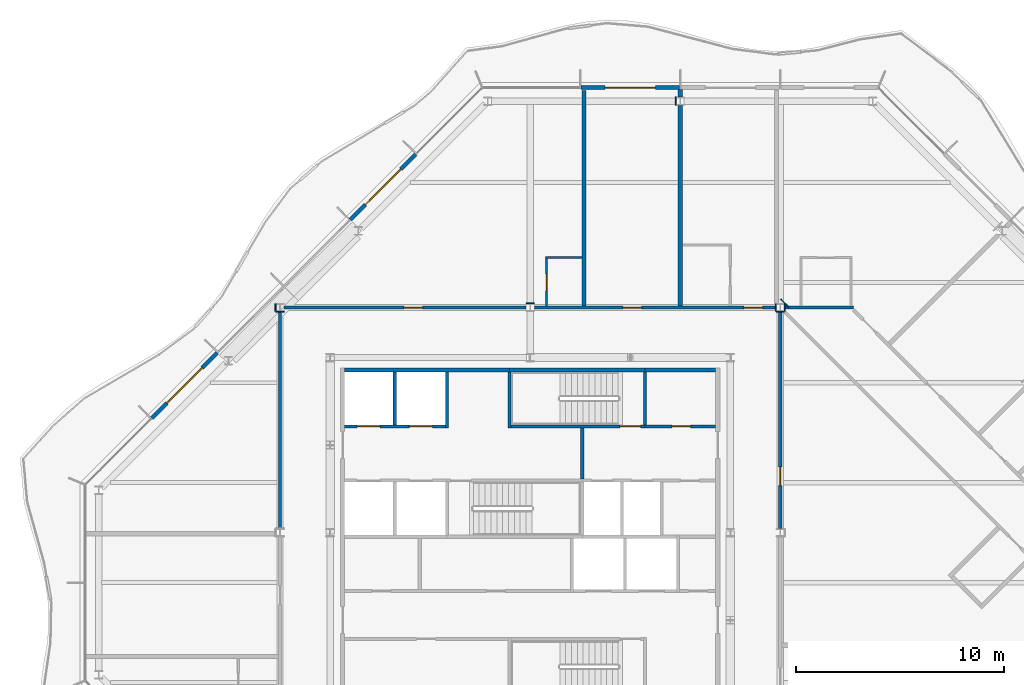
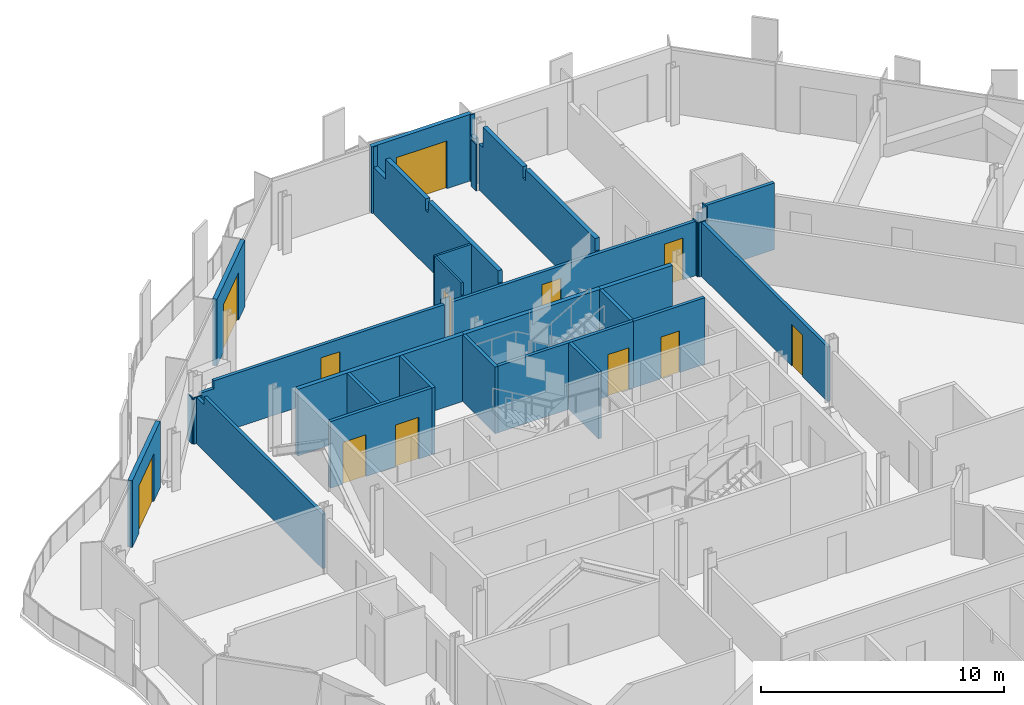
# One storey, part 11 of 17: 32 walls, 12 doors, 12 openings.
"""IFC4 building model written with IfcOpenShell, lengths in metres."""

from ifc_helpers import new_model, si_unit, direction, frame, frame_2d, origin, place, context, subcontext, project, spatial, polyline, rectangle, outline, extrude, material, layer, layer_set, type_object, element, fill, save


model = new_model("IFC4")

# Units and contexts
model_context = context("Model", 3, precision=1e-05, world=origin(), true_north=direction((0.0, 1.0)))
body_context = subcontext(model_context, "Body", "Model", "MODEL_VIEW")
ifc_project = project(units=[si_unit("LENGTHUNIT", "METRE"), si_unit("AREAUNIT", "SQUARE_METRE"), si_unit("VOLUMEUNIT", "CUBIC_METRE"), si_unit("PLANEANGLEUNIT", "RADIAN"), si_unit("MASSUNIT", "GRAM", prefix="KILO")], contexts=[model_context])

# Site, building, storey
site_placement = place(None, origin())
site = spatial("IfcSite", under=ifc_project, at=site_placement, CompositionType="ELEMENT")
building_placement = place(site_placement, origin())
building = spatial("IfcBuilding", under=site, at=building_placement, Name="Cairn Pilgrim Tower", CompositionType="ELEMENT")
storey_placement = place(building_placement, frame((0.0, 0.0, 257.39990234375)))
storey = spatial("IfcBuildingStorey", under=building, at=storey_placement, Name="L66", CompositionType="ELEMENT", Elevation=257.39990234375)

# Wall, opening, door
ifc_material_1 = material(Name="Bronze anodised aluminium insulated sandwich panel with mineral wool fill", Category="aluminium")
ifc_layer_1 = layer(ifc_material_1, 0.199951171875)
ifc_layer_set_1 = layer_set([ifc_layer_1], Name="BRONZE INFILL FRAME WALL 200")
wall_type_1 = type_object("IfcWallType", Name="BRONZE INFILL FRAME WALL 200", PredefinedType="NOTDEFINED", material=ifc_layer_set_1)
wall_1_placement = place(storey_placement, frame((14.3701171875, 23.75, 0.0), z_axis=(0.0, 0.0, 1.0), x_axis=(-1.0, 0.0, 0.0)))
wall_1 = element("IfcWall", 1, at=wall_1_placement, inside=storey, type_object=wall_type_1, Name="Bronze infill frame wall IW-N3", PredefinedType="NOTDEFINED", context=body_context, shape_type="SweptSolid", body=[
    extrude(rectangle(XDim=4.740234375, YDim=0.199951171875, at=frame_2d((2.3701171875, 0.0))), origin(), (0.0, 0.0, 1.0), 3.35009765625),
])
opening_1_placement = place(wall_1_placement, frame((1.169921875, 0.0, 0.0)))
opening_1 = element("IfcOpeningElement", 2, at=opening_1_placement, cuts=wall_1, Name="Opening 6610B", PredefinedType="OPENING", context=body_context, shape_type="SweptSolid", body=[
    extrude(rectangle(XDim=2.39990234375, YDim=2.39990234375, at=frame_2d((1.199951171875, 1.199951171875))), frame((0.0, 0.10986328125, 0.0), z_axis=(0.0, -1.0, 0.0), x_axis=(1.0, 0.0, 0.0)), (0.0, 0.0, 1.0), 0.219970703125),
])
ifc_material_2 = material(Name="Bronze anodised aluminium frame with tinted low-E glass", Category="aluminium")
door_type_1 = type_object("IfcDoorType", Name="BALCONY SLIDING DOOR 2400x2400", OperationType="DOUBLE_DOOR_SLIDING", PredefinedType="DOOR", material=ifc_material_2)
door_1_placement = place(opening_1_placement, origin())
door_1 = element("IfcDoor", 3, at=door_1_placement, inside=storey, type_object=door_type_1, Name="Balcony sliding door 6610B", OperationType="SINGLE_SWING_LEFT", OverallHeight=2.39990234375, OverallWidth=2.39990234375, PredefinedType="DOOR", context=body_context, shape_type="SweptSolid", body=[
    extrude(rectangle(XDim=2.39990234375, YDim=2.39990234375, at=frame_2d((1.199951171875, 1.199951171875))), frame((0.0, 0.02490234375, 0.0), z_axis=(0.0, -1.0, 0.0), x_axis=(1.0, 0.0, 0.0)), (0.0, 0.0, 1.0), 0.050048828125),
])
fill(opening_1, door_1)

wall_2_placement = place(storey_placement, frame((1.706787109375, 20.55322265625, 0.0), z_axis=(0.0, 0.0, 1.0), x_axis=(-0.707106781187, -0.707106781187, 0.0)))
wall_2 = element("IfcWall", 4, at=wall_2_placement, inside=storey, type_object=wall_type_1, Name="Bronze infill frame wall IW-NW2", PredefinedType="NOTDEFINED", context=body_context, shape_type="SweptSolid", body=[
    extrude(rectangle(XDim=4.43115234375, YDim=0.199951171875, at=frame_2d((2.215576171875, 0.0))), origin(), (0.0, 0.0, 1.0), 3.35009765625),
])
opening_2_placement = place(wall_2_placement, frame((1.015380859375, 0.0, 0.0)))
opening_2 = element("IfcOpeningElement", 5, at=opening_2_placement, cuts=wall_2, Name="Opening 6611B", PredefinedType="OPENING", context=body_context, shape_type="SweptSolid", body=[
    extrude(rectangle(XDim=2.39990234375, YDim=2.39990234375, at=frame_2d((1.199951171875, 1.199951171875))), frame((0.0, 0.10986328125, 0.0), z_axis=(0.0, -1.0, 0.0), x_axis=(1.0, 0.0, 0.0)), (0.0, 0.0, 1.0), 0.219970703125),
])
door_2_placement = place(opening_2_placement, origin())
door_2 = element("IfcDoor", 6, at=door_2_placement, inside=storey, type_object=door_type_1, Name="Balcony sliding door 6611B", OperationType="SINGLE_SWING_LEFT", OverallHeight=2.39990234375, OverallWidth=2.39990234375, PredefinedType="DOOR", context=body_context, shape_type="SweptSolid", body=[
    extrude(rectangle(XDim=2.39990234375, YDim=2.39990234375, at=frame_2d((1.199951171875, 1.199951171875))), frame((0.0, 0.02490234375, 0.0), z_axis=(0.0, -1.0, 0.0), x_axis=(1.0, 0.0, 0.0)), (0.0, 0.0, 1.0), 0.050048828125),
])
fill(opening_2, door_2)

wall_3_placement = place(storey_placement, frame((-7.820068359375, 11.0263671875, 0.0), z_axis=(0.0, 0.0, 1.0), x_axis=(-0.707106781187, -0.707106781187, 0.0)))
wall_3 = element("IfcWall", 7, at=wall_3_placement, inside=storey, type_object=wall_type_1, Name="Bronze infill frame wall IW-NW5", PredefinedType="NOTDEFINED", context=body_context, shape_type="SweptSolid", body=[
    extrude(rectangle(XDim=4.430908203125, YDim=0.199951171875, at=frame_2d((2.21533203125, 0.0))), origin(), (0.0, 0.0, 1.0), 3.35009765625),
])
opening_3_placement = place(wall_3_placement, frame((1.015625, 0.0, 0.0)))
opening_3 = element("IfcOpeningElement", 8, at=opening_3_placement, cuts=wall_3, Name="Opening 6611B2", PredefinedType="OPENING", context=body_context, shape_type="SweptSolid", body=[
    extrude(rectangle(XDim=2.39990234375, YDim=2.39990234375, at=frame_2d((1.199951171875, 1.199951171875))), frame((0.0, 0.10986328125, 0.0), z_axis=(0.0, -1.0, 0.0), x_axis=(1.0, 0.0, 0.0)), (0.0, 0.0, 1.0), 0.219970703125),
])
door_3_placement = place(opening_3_placement, origin())
door_3 = element("IfcDoor", 9, at=door_3_placement, inside=storey, type_object=door_type_1, Name="Balcony sliding door 6611B2", OperationType="SINGLE_SWING_LEFT", OverallHeight=2.39990234375, OverallWidth=2.39990234375, PredefinedType="DOOR", context=body_context, shape_type="SweptSolid", body=[
    extrude(rectangle(XDim=2.39990234375, YDim=2.39990234375, at=frame_2d((1.199951171875, 1.199951171875))), frame((0.0, 0.02490234375, 0.0), z_axis=(0.0, -1.0, 0.0), x_axis=(1.0, 0.0, 0.0)), (0.0, 0.0, 1.0), 0.050048828125),
])
fill(opening_3, door_3)

# Walls
ifc_material_3 = material(Name="Concrete C32/40", Category="concrete")
ifc_layer_2 = layer(ifc_material_3, 0.199951171875)
ifc_layer_set_2 = layer_set([ifc_layer_2], Name="CORE OUTER WALL 200 EI 120")
wall_type_2 = type_object("IfcWallType", Name="CORE OUTER WALL 200 EI 120", PredefinedType="SOLIDWALL", material=ifc_layer_set_2)
wall_4_placement = place(storey_placement, frame((-1.699951171875, 10.199951171875, 0.0), z_axis=(0.0, 0.0, 1.0), x_axis=(1.0, 0.0, 0.0)))
element("IfcWall", 10, at=wall_4_placement, inside=storey, type_object=wall_type_2, Name="CW:L66:H12-1", PredefinedType="SOLIDWALL", context=body_context, shape_type="SweptSolid", body=[
    extrude(rectangle(XDim=7.89990234375, YDim=0.199951171875, at=frame_2d((3.949951171875, 0.0))), origin(), (0.0, 0.0, 1.0), 3.35009765625),
])
wall_5_placement = place(storey_placement, frame((12.699951171875, 10.199951171875, 0.0), z_axis=(0.0, 0.0, 1.0), x_axis=(1.0, 0.0, 0.0)))
element("IfcWall", 11, at=wall_5_placement, inside=storey, type_object=wall_type_2, Name="CW:L66:H12-3", PredefinedType="SOLIDWALL", context=body_context, shape_type="SweptSolid", body=[
    extrude(rectangle(XDim=3.400146484375, YDim=0.199951171875, at=frame_2d((1.7001953125, 0.0))), origin(), (0.0, 0.0, 1.0), 3.35009765625),
])

# Wall, openings, doors
ifc_layer_3 = layer(ifc_material_3, 0.14990234375)
ifc_layer_set_3 = layer_set([ifc_layer_3], Name="CORE SHAFT WALL 150 EI 120")
wall_type_3 = type_object("IfcWallType", Name="CORE SHAFT WALL 150 EI 120", PredefinedType="SOLIDWALL", material=ifc_layer_set_3)
wall_6_placement = place(storey_placement, frame((-1.699951171875, 7.5, 0.0), z_axis=(0.0, 0.0, 1.0), x_axis=(1.0, 0.0, 0.0)))
wall_6 = element("IfcWall", 12, at=wall_6_placement, inside=storey, type_object=wall_type_3, Name="CW:L66:H10", PredefinedType="SOLIDWALL", context=body_context, shape_type="SweptSolid", body=[
    extrude(rectangle(XDim=4.824951171875, YDim=0.14990234375, at=frame_2d((2.41259765625, 0.0))), origin(), (0.0, 0.0, 1.0), 3.35009765625),
])
opening_4_placement = place(wall_6_placement, frame((0.60009765625, 0.0, 0.0)))
opening_4 = element("IfcOpeningElement", 13, at=opening_4_placement, cuts=wall_6, Name="Opening LD-HR3", PredefinedType="OPENING", context=body_context, shape_type="SweptSolid", body=[
    extrude(rectangle(XDim=1.10009765625, YDim=2.10009765625, at=frame_2d((0.550048828125, 1.050048828125))), frame((0.0, 0.0849609375, 0.0), z_axis=(0.0, -1.0, 0.0), x_axis=(1.0, 0.0, 0.0)), (0.0, 0.0, 1.0), 0.169921875),
])
opening_5_placement = place(wall_6_placement, frame((3.10009765625, 0.0, 0.0)))
opening_5 = element("IfcOpeningElement", 14, at=opening_5_placement, cuts=wall_6, Name="Opening LD-HR4", PredefinedType="OPENING", context=body_context, shape_type="SweptSolid", body=[
    extrude(rectangle(XDim=1.10009765625, YDim=2.10009765625, at=frame_2d((0.550048828125, 1.050048828125))), frame((0.0, 0.0849609375, 0.0), z_axis=(0.0, -1.0, 0.0), x_axis=(1.0, 0.0, 0.0)), (0.0, 0.0, 1.0), 0.169921875),
])
ifc_material_4 = material(Name="Stainless steel", Category="steel")
door_type_2 = type_object("IfcDoorType", Name="LIFT LANDING DOOR 1100x2100", OperationType="DOUBLE_DOOR_SLIDING", PredefinedType="DOOR", material=ifc_material_4)
door_4_placement = place(opening_4_placement, origin())
door_4 = element("IfcDoor", 15, at=door_4_placement, inside=storey, type_object=door_type_2, Name="LANDING DOOR HR3", OperationType="DOUBLE_DOOR_SLIDING", OverallHeight=2.10009765625, OverallWidth=1.10009765625, PredefinedType="DOOR", context=body_context, shape_type="SweptSolid", body=[
    extrude(rectangle(XDim=1.10009765625, YDim=2.10009765625, at=frame_2d((0.550048828125, 1.050048828125))), frame((0.0, 0.02490234375, 0.0), z_axis=(0.0, -1.0, 0.0), x_axis=(1.0, 0.0, 0.0)), (0.0, 0.0, 1.0), 0.050048828125),
])
fill(opening_4, door_4)
door_5_placement = place(opening_5_placement, origin())
door_5 = element("IfcDoor", 16, at=door_5_placement, inside=storey, type_object=door_type_2, Name="LANDING DOOR HR4", OperationType="DOUBLE_DOOR_SLIDING", OverallHeight=2.10009765625, OverallWidth=1.10009765625, PredefinedType="DOOR", context=body_context, shape_type="SweptSolid", body=[
    extrude(rectangle(XDim=1.10009765625, YDim=2.10009765625, at=frame_2d((0.550048828125, 1.050048828125))), frame((0.0, 0.02490234375, 0.0), z_axis=(0.0, -1.0, 0.0), x_axis=(1.0, 0.0, 0.0)), (0.0, 0.0, 1.0), 0.050048828125),
])
fill(opening_5, door_5)

# Wall, opening, door
wall_7_placement = place(storey_placement, frame((12.699951171875, 7.5, 0.0), z_axis=(0.0, 0.0, 1.0), x_axis=(1.0, 0.0, 0.0)))
wall_7 = element("IfcWall", 17, at=wall_7_placement, inside=storey, type_object=wall_type_3, Name="CW:L66:H11-2", PredefinedType="SOLIDWALL", context=body_context, shape_type="SweptSolid", body=[
    extrude(rectangle(XDim=3.400146484375, YDim=0.14990234375, at=frame_2d((1.7001953125, 0.0))), origin(), (0.0, 0.0, 1.0), 3.35009765625),
])
opening_6_placement = place(wall_7_placement, frame((1.300048828125, 0.0, 0.0)))
opening_6 = element("IfcOpeningElement", 18, at=opening_6_placement, cuts=wall_7, Name="Opening RD-R4E", PredefinedType="OPENING", context=body_context, shape_type="SweptSolid", body=[
    extrude(rectangle(XDim=0.89990234375, YDim=2.10009765625, at=frame_2d((0.449951171875, 1.050048828125))), frame((0.0, 0.0849609375, 0.0), z_axis=(0.0, -1.0, 0.0), x_axis=(1.0, 0.0, 0.0)), (0.0, 0.0, 1.0), 0.169921875),
])
ifc_material_5 = material(Name="Painted steel", Category="steel")
door_type_3 = type_object("IfcDoorType", Name="SERVICE ROOM DOOR 900x2100", OperationType="SINGLE_SWING_LEFT", PredefinedType="DOOR", material=ifc_material_5)
door_6_placement = place(opening_6_placement, origin())
door_6 = element("IfcDoor", 19, at=door_6_placement, inside=storey, type_object=door_type_3, Name="RD-R4E", OperationType="SINGLE_SWING_RIGHT", OverallHeight=2.10009765625, OverallWidth=0.89990234375, PredefinedType="DOOR", context=body_context, shape_type="SweptSolid", body=[
    extrude(rectangle(XDim=0.89990234375, YDim=2.10009765625, at=frame_2d((0.449951171875, 1.050048828125))), frame((0.0, 0.02490234375, 0.0), z_axis=(0.0, -1.0, 0.0), x_axis=(1.0, 0.0, 0.0)), (0.0, 0.0, 1.0), 0.050048828125),
])
fill(opening_6, door_6)

# Walls
wall_8_placement = place(storey_placement, frame((0.699951171875, 7.574951171875, 0.0), z_axis=(0.0, 0.0, 1.0), x_axis=(0.0, 1.0, 0.0)))
element("IfcWall", 20, at=wall_8_placement, inside=storey, type_object=wall_type_3, Name="CW:L66:V15", PredefinedType="SOLIDWALL", context=body_context, shape_type="SweptSolid", body=[
    extrude(rectangle(XDim=2.525146484375, YDim=0.14990234375, at=frame_2d((1.2626953125, 0.0))), origin(), (0.0, 0.0, 1.0), 3.35009765625),
])
wall_9_placement = place(storey_placement, frame((3.199951171875, 7.425048828125, 0.0), z_axis=(0.0, 0.0, 1.0), x_axis=(0.0, 1.0, 0.0)))
element("IfcWall", 21, at=wall_9_placement, inside=storey, type_object=wall_type_3, Name="CW:L66:V18", PredefinedType="SOLIDWALL", context=body_context, shape_type="SweptSolid", body=[
    extrude(rectangle(XDim=2.675048828125, YDim=0.14990234375, at=frame_2d((1.33740234375, 0.0))), origin(), (0.0, 0.0, 1.0), 3.35009765625),
])
wall_10_placement = place(storey_placement, frame((9.699951171875, 4.97509765625, 0.0), z_axis=(0.0, 0.0, 1.0), x_axis=(0.0, 1.0, 0.0)))
element("IfcWall", 22, at=wall_10_placement, inside=storey, type_object=wall_type_3, Name="CW:L66:V23", PredefinedType="SOLIDWALL", context=body_context, shape_type="SweptSolid", body=[
    extrude(rectangle(XDim=2.449951171875, YDim=0.14990234375, at=frame_2d((1.22509765625, 0.0))), origin(), (0.0, 0.0, 1.0), 3.35009765625),
])

# Wall, opening, door
ifc_material_6 = material(Name="Gypsum partition")
ifc_layer_4 = layer(ifc_material_6, 0.10009765625)
ifc_layer_set_4 = layer_set([ifc_layer_4], Name="PARTITION 100 DRYWALL")
wall_type_4 = type_object("IfcWallType", Name="PARTITION 100 DRYWALL", PredefinedType="PARTITIONING", material=ifc_layer_set_4)
wall_11_placement = place(storey_placement, frame((7.986083984375, 13.27490234375, 0.0), z_axis=(0.0, 0.0, 1.0), x_axis=(0.0, 1.0, 0.0)))
wall_11 = element("IfcWall", 23, at=wall_11_placement, inside=storey, type_object=wall_type_4, Name="PARTITION W068", PredefinedType="PARTITIONING", context=body_context, shape_type="SweptSolid", body=[
    extrude(outline(polyline([(0.0, 0.0), (2.275146484375, 0.0), (2.27490234375, 3.35009765625), (0.074951171875, 3.35009765625), (0.072998046875, 2.72998046875), (0.0, 2.72998046875), (0.0, 0.0)])), frame((0.0, 0.050048828125, 0.0), z_axis=(0.0, -1.0, 0.0), x_axis=(1.0, 0.0, 0.0)), (0.0, 0.0, 1.0), 0.10009765625),
])
opening_7_placement = place(wall_11_placement, frame((0.72509765625, 0.0, 0.0)))
opening_7 = element("IfcOpeningElement", 24, at=opening_7_placement, cuts=wall_11, Name="Opening 6611A", PredefinedType="OPENING", context=body_context, shape_type="SweptSolid", body=[
    extrude(rectangle(XDim=0.800048828125, YDim=2.10009765625, at=frame_2d((0.39990234375, 1.050048828125))), frame((0.0, 0.06005859375, 0.0), z_axis=(0.0, -1.0, 0.0), x_axis=(1.0, 0.0, 0.0)), (0.0, 0.0, 1.0), 0.1201171875),
])
ifc_material_7 = material(Name="Timber door leaf", Category="wood")
door_type_4 = type_object("IfcDoorType", Name="WC DOOR 800x2100", OperationType="NOTDEFINED", PredefinedType="DOOR", material=ifc_material_7)
door_7_placement = place(opening_7_placement, origin())
door_7 = element("IfcDoor", 25, at=door_7_placement, inside=storey, type_object=door_type_4, Name="DOOR 6611A", OperationType="SINGLE_SWING_LEFT", OverallHeight=2.10009765625, OverallWidth=0.800048828125, PredefinedType="DOOR", context=body_context, shape_type="SweptSolid", body=[
    extrude(rectangle(XDim=0.800048828125, YDim=2.10009765625, at=frame_2d((0.39990234375, 1.050048828125))), frame((0.0, 0.02490234375, 0.0), z_axis=(0.0, -1.0, 0.0), x_axis=(1.0, 0.0, 0.0)), (0.0, 0.0, 1.0), 0.050048828125),
])
fill(opening_7, door_7)

# Walls
wall_12_placement = place(storey_placement, frame((7.93603515625, 15.60009765625, 0.0), z_axis=(0.0, 0.0, 1.0), x_axis=(1.0, 0.0, 0.0)))
element("IfcWall", 26, at=wall_12_placement, inside=storey, type_object=wall_type_4, Name="PARTITION W075", PredefinedType="PARTITIONING", context=body_context, shape_type="SweptSolid", body=[
    extrude(rectangle(XDim=1.75, YDim=0.10009765625, at=frame_2d((0.875, 0.0))), origin(), (0.0, 0.0, 1.0), 3.35009765625),
])
ifc_layer_5 = layer(ifc_material_6, 0.14990234375)
ifc_layer_set_5 = layer_set([ifc_layer_5], Name="PARTITION 150 DRYWALL EI 60")
wall_type_5 = type_object("IfcWallType", Name="PARTITION 150 DRYWALL EI 60", PredefinedType="PARTITIONING", material=ifc_layer_set_5)
wall_13_placement = place(storey_placement, frame((-4.800048828125, 2.58740234375, 0.0), z_axis=(0.0, 0.0, 1.0), x_axis=(0.0, 1.0, 0.0)))
element("IfcWall", 27, at=wall_13_placement, inside=storey, type_object=wall_type_5, Name="PARTITION W056", PredefinedType="PARTITIONING", context=body_context, shape_type="SweptSolid", body=[
    extrude(outline(polyline([(0.0, 0.0), (10.425048828125, 0.0), (10.425048828125, 2.330078125), (9.757568359375, 2.330078125), (9.755615234375, 2.72998046875), (0.0, 2.72998046875), (0.0, 0.0)])), frame((0.0, 0.074951171875, 0.0), z_axis=(0.0, -1.0, 0.0), x_axis=(1.0, 0.0, 0.0)), (0.0, 0.0, 1.0), 0.14990234375),
])

# Wall, opening, door
wall_14_placement = place(storey_placement, frame((19.199951171875, 2.58740234375, 0.0), z_axis=(0.0, 0.0, 1.0), x_axis=(0.0, 1.0, 0.0)))
wall_14 = element("IfcWall", 28, at=wall_14_placement, inside=storey, type_object=wall_type_5, Name="PARTITION W057", PredefinedType="PARTITIONING", context=body_context, shape_type="SweptSolid", body=[
    extrude(rectangle(XDim=10.425048828125, YDim=0.14990234375, at=frame_2d((5.21240234375, 0.0))), origin(), (0.0, 0.0, 1.0), 2.72998046875),
])
opening_8_placement = place(wall_14_placement, frame((2.0625, 0.0, 0.0)))
opening_8 = element("IfcOpeningElement", 29, at=opening_8_placement, cuts=wall_14, Name="Opening 6619", PredefinedType="OPENING", context=body_context, shape_type="SweptSolid", body=[
    extrude(rectangle(XDim=0.89990234375, YDim=2.10009765625, at=frame_2d((0.449951171875, 1.050048828125))), frame((0.0, 0.0849609375, 0.0), z_axis=(0.0, -1.0, 0.0), x_axis=(1.0, 0.0, 0.0)), (0.0, 0.0, 1.0), 0.169921875),
])
door_type_5 = type_object("IfcDoorType", Name="SERVICE DOOR 900x2100 FD30S", OperationType="NOTDEFINED", PredefinedType="DOOR", material=ifc_material_7)
door_8_placement = place(opening_8_placement, frame((0.89990234375, 0.0, 0.0), z_axis=(0.0, 0.0, 1.0), x_axis=(-1.0, 0.0, 0.0)))
door_8 = element("IfcDoor", 30, at=door_8_placement, inside=storey, type_object=door_type_5, Name="DOOR 6619", OperationType="SINGLE_SWING_LEFT", OverallHeight=2.10009765625, OverallWidth=0.89990234375, PredefinedType="DOOR", context=body_context, shape_type="SweptSolid", body=[
    extrude(rectangle(XDim=0.89990234375, YDim=2.10009765625, at=frame_2d((0.449951171875, 1.050048828125))), frame((0.0, 0.02490234375, 0.0), z_axis=(0.0, -1.0, 0.0), x_axis=(1.0, 0.0, 0.0)), (0.0, 0.0, 1.0), 0.050048828125),
])
fill(opening_8, door_8)

wall_15_placement = place(storey_placement, frame((-4.60302734375, 13.199951171875, 0.0), z_axis=(0.0, 0.0, 1.0), x_axis=(1.0, 0.0, 0.0)))
wall_15 = element("IfcWall", 31, at=wall_15_placement, inside=storey, type_object=wall_type_5, Name="PARTITION W065", PredefinedType="PARTITIONING", context=body_context, shape_type="SweptSolid", body=[
    extrude(outline(polyline([(0.0, 0.0), (11.60595703125, 0.0), (11.60595703125, 2.72998046875), (0.657958984375, 2.72998046875), (0.656005859375, 2.330078125), (0.0, 2.330078125), (0.0, 0.0)])), frame((0.0, 0.074951171875, 0.0), z_axis=(0.0, -1.0, 0.0), x_axis=(1.0, 0.0, 0.0)), (0.0, 0.0, 1.0), 0.14990234375),
])
opening_9_placement = place(wall_15_placement, frame((5.74609375, 0.0, 0.0)))
opening_9 = element("IfcOpeningElement", 32, at=opening_9_placement, cuts=wall_15, Name="Opening 6611", PredefinedType="OPENING", context=body_context, shape_type="SweptSolid", body=[
    extrude(rectangle(XDim=0.89990234375, YDim=2.10009765625, at=frame_2d((0.449951171875, 1.050048828125))), frame((0.0, 0.0849609375, 0.0), z_axis=(0.0, -1.0, 0.0), x_axis=(1.0, 0.0, 0.0)), (0.0, 0.0, 1.0), 0.169921875),
])
door_type_6 = type_object("IfcDoorType", Name="ROOM DOOR 900x2100 FD30S", OperationType="NOTDEFINED", PredefinedType="DOOR", material=ifc_material_7)
door_9_placement = place(opening_9_placement, origin())
door_9 = element("IfcDoor", 33, at=door_9_placement, inside=storey, type_object=door_type_6, Name="DOOR 6611", OperationType="SINGLE_SWING_LEFT", OverallHeight=2.10009765625, OverallWidth=0.89990234375, PredefinedType="DOOR", context=body_context, shape_type="SweptSolid", body=[
    extrude(rectangle(XDim=0.89990234375, YDim=2.10009765625, at=frame_2d((0.449951171875, 1.050048828125))), frame((0.0, 0.02490234375, 0.0), z_axis=(0.0, -1.0, 0.0), x_axis=(1.0, 0.0, 0.0)), (0.0, 0.0, 1.0), 0.050048828125),
])
fill(opening_9, door_9)

# Wall, openings, doors
wall_16_placement = place(storey_placement, frame((7.39697265625, 13.199951171875, 0.0), z_axis=(0.0, 0.0, 1.0), x_axis=(1.0, 0.0, 0.0)))
wall_16 = element("IfcWall", 34, at=wall_16_placement, inside=storey, type_object=wall_type_5, Name="PARTITION W066", PredefinedType="PARTITIONING", context=body_context, shape_type="SweptSolid", body=[
    extrude(rectangle(XDim=11.60595703125, YDim=0.14990234375, at=frame_2d((5.802978515625, 0.0))), origin(), (0.0, 0.0, 1.0), 2.72998046875),
])
opening_10_placement = place(wall_16_placement, frame((10.06005859375, 0.0, 0.0)))
opening_10 = element("IfcOpeningElement", 35, at=opening_10_placement, cuts=wall_16, Name="Opening 6609", PredefinedType="OPENING", context=body_context, shape_type="SweptSolid", body=[
    extrude(rectangle(XDim=0.89990234375, YDim=2.10009765625, at=frame_2d((0.449951171875, 1.050048828125))), frame((0.0, 0.0849609375, 0.0), z_axis=(0.0, -1.0, 0.0), x_axis=(1.0, 0.0, 0.0)), (0.0, 0.0, 1.0), 0.169921875),
])
opening_11_placement = place(wall_16_placement, frame((4.24609375, 0.0, 0.0)))
opening_11 = element("IfcOpeningElement", 36, at=opening_11_placement, cuts=wall_16, Name="Opening 6610", PredefinedType="OPENING", context=body_context, shape_type="SweptSolid", body=[
    extrude(rectangle(XDim=0.89990234375, YDim=2.10009765625, at=frame_2d((0.449951171875, 1.050048828125))), frame((0.0, 0.0849609375, 0.0), z_axis=(0.0, -1.0, 0.0), x_axis=(1.0, 0.0, 0.0)), (0.0, 0.0, 1.0), 0.169921875),
])
door_10_placement = place(opening_10_placement, origin())
door_10 = element("IfcDoor", 37, at=door_10_placement, inside=storey, type_object=door_type_6, Name="DOOR 6609", OperationType="SINGLE_SWING_RIGHT", OverallHeight=2.10009765625, OverallWidth=0.89990234375, PredefinedType="DOOR", context=body_context, shape_type="SweptSolid", body=[
    extrude(rectangle(XDim=0.89990234375, YDim=2.10009765625, at=frame_2d((0.449951171875, 1.050048828125))), frame((0.0, 0.02490234375, 0.0), z_axis=(0.0, -1.0, 0.0), x_axis=(1.0, 0.0, 0.0)), (0.0, 0.0, 1.0), 0.050048828125),
])
fill(opening_10, door_10)
door_11_placement = place(opening_11_placement, origin())
door_11 = element("IfcDoor", 38, at=door_11_placement, inside=storey, type_object=door_type_5, Name="DOOR 6610", OperationType="SINGLE_SWING_LEFT", OverallHeight=2.10009765625, OverallWidth=0.89990234375, PredefinedType="DOOR", context=body_context, shape_type="SweptSolid", body=[
    extrude(rectangle(XDim=0.89990234375, YDim=2.10009765625, at=frame_2d((0.449951171875, 1.050048828125))), frame((0.0, 0.02490234375, 0.0), z_axis=(0.0, -1.0, 0.0), x_axis=(1.0, 0.0, 0.0)), (0.0, 0.0, 1.0), 0.050048828125),
])
fill(opening_11, door_11)

# Walls
wall_17_placement = place(storey_placement, frame((19.39697265625, 13.199951171875, 0.0), z_axis=(0.0, 0.0, 1.0), x_axis=(1.0, 0.0, 0.0)))
element("IfcWall", 39, at=wall_17_placement, inside=storey, type_object=wall_type_5, Name="PARTITION W067", PredefinedType="PARTITIONING", context=body_context, shape_type="SweptSolid", body=[
    extrude(rectangle(XDim=3.30322265625, YDim=0.14990234375, at=frame_2d((1.651611328125, 0.0))), origin(), (0.0, 0.0, 1.0), 3.35009765625),
])
ifc_layer_6 = layer(ifc_material_6, 0.050048828125)
ifc_layer_set_6 = layer_set([ifc_layer_6], Name="PARTITION 50 DRYWALL EI 60")
wall_type_6 = type_object("IfcWallType", Name="PARTITION 50 DRYWALL EI 60", PredefinedType="PARTITIONING", material=ifc_layer_set_6)
wall_18_placement = place(storey_placement, frame((-5.02197265625, 13.012451171875, 0.0), z_axis=(0.0, 0.0, 1.0), x_axis=(0.0, 1.0, 0.0)))
element("IfcWall", 40, at=wall_18_placement, inside=storey, type_object=wall_type_6, Name="COLUMN CASING WC10", PredefinedType="PARTITIONING", context=body_context, shape_type="SweptSolid", body=[
    extrude(rectangle(XDim=0.375, YDim=0.050048828125, at=frame_2d((0.1875, 0.0))), origin(), (0.0, 0.0, 1.0), 2.330078125),
])
wall_19_placement = place(storey_placement, frame((18.97802734375, 13.012451171875, 0.0), z_axis=(0.0, 0.0, 1.0), x_axis=(0.0, 1.0, 0.0)))
element("IfcWall", 41, at=wall_19_placement, inside=storey, type_object=wall_type_6, Name="COLUMN CASING WC15", PredefinedType="PARTITIONING", context=body_context, shape_type="SweptSolid", body=[
    extrude(rectangle(XDim=0.375, YDim=0.050048828125, at=frame_2d((0.1875, 0.0))), origin(), (0.0, 0.0, 1.0), 2.72998046875),
])
wall_20_placement = place(storey_placement, frame((19.602294921875, 13.2177734375, 0.0), z_axis=(0.0, 0.0, 1.0), x_axis=(-0.707106781187, 0.707106781187, 0.0)))
element("IfcWall", 42, at=wall_20_placement, inside=storey, type_object=wall_type_6, Name="COLUMN CASING WC17", PredefinedType="PARTITIONING", context=body_context, shape_type="SweptSolid", body=[
    extrude(rectangle(XDim=0.543701171875, YDim=0.050048828125, at=frame_2d((0.27197265625, 0.0))), origin(), (0.0, 0.0, 1.0), 2.830078125),
])
wall_21_placement = place(storey_placement, frame((-4.9970703125, 12.987548828125, 0.0), z_axis=(0.0, 0.0, 1.0), x_axis=(1.0, 0.0, 0.0)))
element("IfcWall", 43, at=wall_21_placement, inside=storey, type_object=wall_type_6, Name="COLUMN CASING WC22", PredefinedType="PARTITIONING", context=body_context, shape_type="SweptSolid", body=[
    extrude(rectangle(XDim=0.39404296875, YDim=0.050048828125, at=frame_2d((0.197021484375, 0.0))), origin(), (0.0, 0.0, 1.0), 2.330078125),
])
wall_22_placement = place(storey_placement, frame((7.0029296875, 13.41259765625, 0.0), z_axis=(0.0, 0.0, 1.0), x_axis=(1.0, 0.0, 0.0)))
element("IfcWall", 44, at=wall_22_placement, inside=storey, type_object=wall_type_6, Name="COLUMN CASING WC23", PredefinedType="PARTITIONING", context=body_context, shape_type="SweptSolid", body=[
    extrude(rectangle(XDim=0.39404296875, YDim=0.050048828125, at=frame_2d((0.197021484375, 0.0))), origin(), (0.0, 0.0, 1.0), 2.830078125),
])
wall_23_placement = place(storey_placement, frame((19.0029296875, 12.987548828125, 0.0), z_axis=(0.0, 0.0, 1.0), x_axis=(1.0, 0.0, 0.0)))
element("IfcWall", 45, at=wall_23_placement, inside=storey, type_object=wall_type_6, Name="COLUMN CASING WC24", PredefinedType="PARTITIONING", context=body_context, shape_type="SweptSolid", body=[
    extrude(rectangle(XDim=0.39404296875, YDim=0.050048828125, at=frame_2d((0.197021484375, 0.0))), origin(), (0.0, 0.0, 1.0), 2.72998046875),
])
wall_24_placement = place(storey_placement, frame((14.173095703125, 22.896484375, 0.0), z_axis=(0.0, 0.0, 1.0), x_axis=(0.0, 1.0, 0.0)))
element("IfcWall", 46, at=wall_24_placement, inside=storey, type_object=wall_type_6, Name="COLUMN CASING WC25", PredefinedType="PARTITIONING", context=body_context, shape_type="SweptSolid", body=[
    extrude(rectangle(XDim=0.406982421875, YDim=0.050048828125, at=frame_2d((0.20361328125, 0.0))), origin(), (0.0, 0.0, 1.0), 2.330078125),
])
wall_25_placement = place(storey_placement, frame((19.422119140625, 13.012451171875, 0.0), z_axis=(0.0, 0.0, 1.0), x_axis=(0.0, 1.0, 0.0)))
element("IfcWall", 47, at=wall_25_placement, inside=storey, type_object=wall_type_6, Name="COLUMN CASING WC26", PredefinedType="PARTITIONING", context=body_context, shape_type="SweptSolid", body=[
    extrude(rectangle(XDim=0.375, YDim=0.050048828125, at=frame_2d((0.1875, 0.0))), origin(), (0.0, 0.0, 1.0), 3.35009765625),
])
ifc_layer_7 = layer(ifc_material_6, 0.199951171875)
ifc_layer_set_7 = layer_set([ifc_layer_7], Name="SHAFT WALL 200 GYPSUM EI 60")
wall_type_7 = type_object("IfcWallType", Name="SHAFT WALL 200 GYPSUM EI 60", PredefinedType="PARTITIONING", material=ifc_layer_set_7)
wall_26_placement = place(storey_placement, frame((9.785888671875, 13.27490234375, 0.0), z_axis=(0.0, 0.0, 1.0), x_axis=(0.0, 1.0, 0.0)))
element("IfcWall", 48, at=wall_26_placement, inside=storey, type_object=wall_type_7, Name="PARTITION W069", PredefinedType="PARTITIONING", context=body_context, shape_type="SweptSolid", body=[
    extrude(outline(polyline([(0.0, 0.0), (10.34521484375, 0.0), (10.344970703125, 3.35009765625), (10.324951171875, 3.35009765625), (10.322998046875, 2.330078125), (9.324951171875, 2.330078125), (9.322998046875, 3.35009765625), (6.030029296875, 3.35009765625), (6.028076171875, 2.780029296875), (5.820068359375, 2.780029296875), (5.818115234375, 3.35009765625), (0.074951171875, 3.35009765625), (0.072998046875, 2.72998046875), (0.0, 2.72998046875), (0.0, 0.0)])), frame((0.0, 0.10009765625, 0.0), z_axis=(0.0, -1.0, 0.0), x_axis=(1.0, 0.0, 0.0)), (0.0, 0.0, 1.0), 0.199951171875),
])
wall_27_placement = place(storey_placement, frame((14.39990234375, 13.27490234375, 0.0), z_axis=(0.0, 0.0, 1.0), x_axis=(0.0, 1.0, 0.0)))
element("IfcWall", 49, at=wall_27_placement, inside=storey, type_object=wall_type_7, Name="PARTITION W070", PredefinedType="PARTITIONING", context=body_context, shape_type="SweptSolid", body=[
    extrude(outline(polyline([(0.0, 0.0), (9.62158203125, 0.0), (9.62158203125, 2.330078125), (9.324951171875, 2.330078125), (9.322998046875, 3.35009765625), (6.030029296875, 3.35009765625), (6.028076171875, 2.780029296875), (5.820068359375, 2.780029296875), (5.818115234375, 3.35009765625), (0.074951171875, 3.35009765625), (0.072998046875, 2.72998046875), (0.0, 2.72998046875), (0.0, 0.0)])), frame((0.0, 0.10009765625, 0.0), z_axis=(0.0, -1.0, 0.0), x_axis=(1.0, 0.0, 0.0)), (0.0, 0.0, 1.0), 0.199951171875),
])
wall_28_placement = place(storey_placement, frame((14.39990234375, 23.303466796875, 0.0), z_axis=(0.0, 0.0, 1.0), x_axis=(0.0, 1.0, 0.0)))
element("IfcWall", 50, at=wall_28_placement, inside=storey, type_object=wall_type_7, Name="PARTITION W079", PredefinedType="PARTITIONING", context=body_context, shape_type="SweptSolid", body=[
    extrude(outline(polyline([(0.0, 0.0), (0.346435546875, 0.0), (0.346435546875, 3.35009765625), (0.29638671875, 3.35009765625), (0.29443359375, 2.330078125), (0.0, 2.330078125), (0.0, 0.0)])), frame((0.0, 0.10009765625, 0.0), z_axis=(0.0, -1.0, 0.0), x_axis=(1.0, 0.0, 0.0)), (0.0, 0.0, 1.0), 0.199951171875),
])

# Wall, opening, door
ifc_material_8 = material(Name="Concrete C35/45", Category="concrete")
ifc_layer_8 = layer(ifc_material_8, 0.14990234375)
ifc_layer_set_8 = layer_set([ifc_layer_8], Name="STAIR SHAFT WALL 150 EI 120")
wall_type_8 = type_object("IfcWallType", Name="STAIR SHAFT WALL 150 EI 120", PredefinedType="SOLIDWALL", material=ifc_layer_set_8)
wall_29_placement = place(storey_placement, frame((6.27490234375, 7.5, 0.0), z_axis=(0.0, 0.0, 1.0), x_axis=(1.0, 0.0, 0.0)))
wall_29 = element("IfcWall", 51, at=wall_29_placement, inside=storey, type_object=wall_type_8, Name="CW:L66:H11-1", PredefinedType="SOLIDWALL", context=body_context, shape_type="SweptSolid", body=[
    extrude(rectangle(XDim=6.425048828125, YDim=0.14990234375, at=frame_2d((3.21240234375, 0.0))), origin(), (0.0, 0.0, 1.0), 3.35009765625),
])
opening_12_placement = place(wall_29_placement, frame((5.22509765625, 0.0, 0.0)))
opening_12 = element("IfcOpeningElement", 52, at=opening_12_placement, cuts=wall_29, Name="Opening SD-C", PredefinedType="OPENING", context=body_context, shape_type="SweptSolid", body=[
    extrude(rectangle(XDim=1.0, YDim=2.10009765625, at=frame_2d((0.5, 1.050048828125))), frame((0.0, 0.0849609375, 0.0), z_axis=(0.0, -1.0, 0.0), x_axis=(1.0, 0.0, 0.0)), (0.0, 0.0, 1.0), 0.169921875),
])
door_type_7 = type_object("IfcDoorType", Name="STAIR DOOR FD60S 1000x2100", OperationType="SINGLE_SWING_LEFT", PredefinedType="DOOR", material=ifc_material_5)
door_12_placement = place(opening_12_placement, origin())
door_12 = element("IfcDoor", 53, at=door_12_placement, inside=storey, type_object=door_type_7, Name="SD-C", OperationType="SINGLE_SWING_LEFT", OverallHeight=2.10009765625, OverallWidth=1.0, PredefinedType="DOOR", context=body_context, shape_type="SweptSolid", body=[
    extrude(rectangle(XDim=1.0, YDim=2.10009765625, at=frame_2d((0.5, 1.050048828125))), frame((0.0, 0.02490234375, 0.0), z_axis=(0.0, -1.0, 0.0), x_axis=(1.0, 0.0, 0.0)), (0.0, 0.0, 1.0), 0.050048828125),
])
fill(opening_12, door_12)

# Walls
wall_30_placement = place(storey_placement, frame((6.199951171875, 7.425048828125, 0.0), z_axis=(0.0, 0.0, 1.0), x_axis=(0.0, 1.0, 0.0)))
element("IfcWall", 54, at=wall_30_placement, inside=storey, type_object=wall_type_8, Name="CW:L66:V20", PredefinedType="SOLIDWALL", context=body_context, shape_type="SweptSolid", body=[
    extrude(rectangle(XDim=2.675048828125, YDim=0.14990234375, at=frame_2d((1.33740234375, 0.0))), origin(), (0.0, 0.0, 1.0), 3.35009765625),
])
wall_31_placement = place(storey_placement, frame((12.699951171875, 7.574951171875, 0.0), z_axis=(0.0, 0.0, 1.0), x_axis=(0.0, 1.0, 0.0)))
element("IfcWall", 55, at=wall_31_placement, inside=storey, type_object=wall_type_8, Name="CW:L66:V27", PredefinedType="SOLIDWALL", context=body_context, shape_type="SweptSolid", body=[
    extrude(rectangle(XDim=2.525146484375, YDim=0.14990234375, at=frame_2d((1.2626953125, 0.0))), origin(), (0.0, 0.0, 1.0), 3.35009765625),
])
ifc_layer_9 = layer(ifc_material_8, 0.199951171875)
ifc_layer_set_9 = layer_set([ifc_layer_9], Name="STAIR SHAFT WALL 200 EI 120")
wall_type_9 = type_object("IfcWallType", Name="STAIR SHAFT WALL 200 EI 120", PredefinedType="SOLIDWALL", material=ifc_layer_set_9)
wall_32_placement = place(storey_placement, frame((6.199951171875, 10.199951171875, 0.0), z_axis=(0.0, 0.0, 1.0), x_axis=(1.0, 0.0, 0.0)))
element("IfcWall", 56, at=wall_32_placement, inside=storey, type_object=wall_type_9, Name="CW:L66:H12-2", PredefinedType="SOLIDWALL", context=body_context, shape_type="SweptSolid", body=[
    extrude(rectangle(XDim=6.5, YDim=0.199951171875, at=frame_2d((3.25, 0.0))), origin(), (0.0, 0.0, 1.0), 3.35009765625),
])

save(model, "model.ifc")
